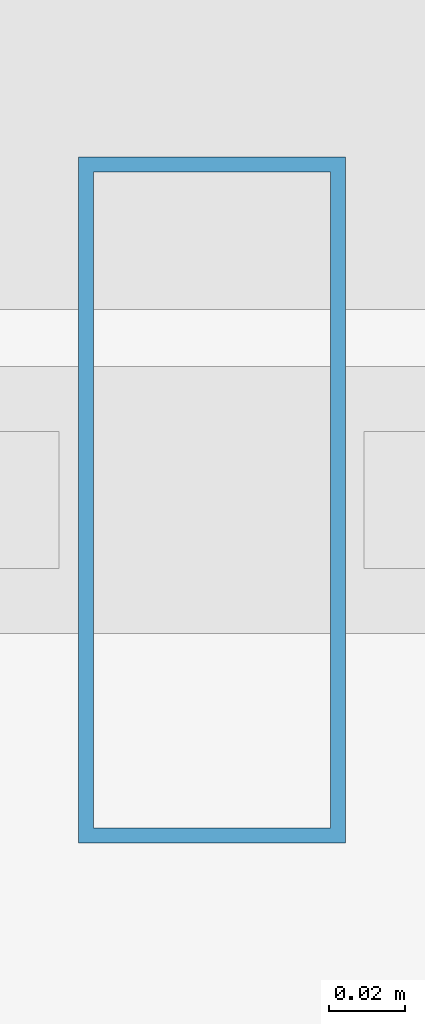
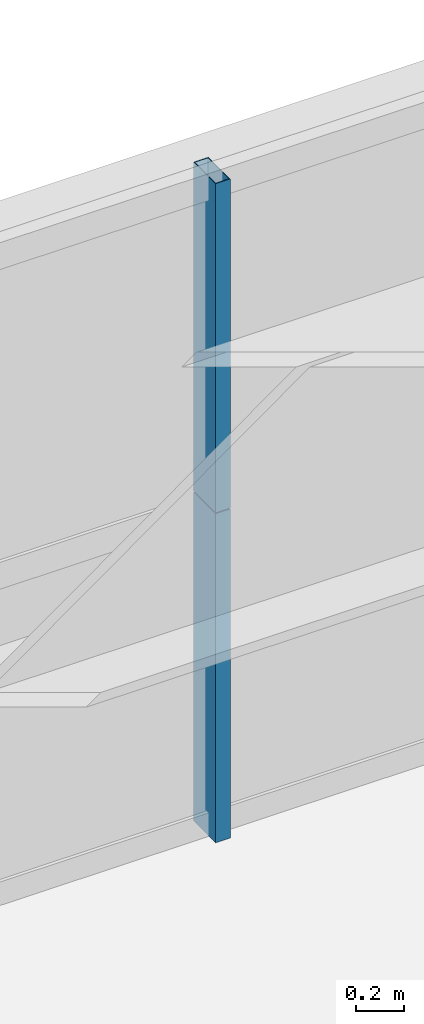
# One storey, part 36 of 44: 2 members, 1 element without a shape of its own.
"""IFC4 building model written with IfcOpenShell, lengths in metres."""

from ifc_helpers import new_model, si_unit, direction, frame, origin, origin_2d, place, context, subcontext, project, spatial, hollow_rectangle, extrude, source, transform, mapped, material, layer, layer_set, material_profile, profile_set, type_object, element, aggregate, save


model = new_model("IFC4")

# Units and contexts
model_context = context("Model", 3, precision=1e-05, world=origin(), true_north=direction((0.0, 1.0)))
body_context = subcontext(model_context, "Body", "Model", "MODEL_VIEW")
ifc_project = project(units=[si_unit("LENGTHUNIT", "METRE"), si_unit("AREAUNIT", "SQUARE_METRE"), si_unit("VOLUMEUNIT", "CUBIC_METRE"), si_unit("PLANEANGLEUNIT", "RADIAN"), si_unit("MASSUNIT", "GRAM", prefix="KILO"), si_unit("THERMODYNAMICTEMPERATUREUNIT", "KELVIN"), si_unit("POWERUNIT", "WATT")], contexts=[model_context])

# Site, building, storey
site_placement = place(None, origin())
site = spatial("IfcSite", under=ifc_project, at=site_placement, CompositionType="ELEMENT")
building_placement = place(site_placement, origin())
building = spatial("IfcBuilding", under=site, at=building_placement, Name="Yuzanri Waterfront Tower", CompositionType="ELEMENT")
storey_placement = place(building_placement, frame((0.0, 0.0, 82.0)))
storey = spatial("IfcBuildingStorey", under=building, at=storey_placement, Name="L21", CompositionType="ELEMENT", Elevation=82.0)

# Curtain wall, members
ifc_material_1 = material(Name="Anodized Architectural Bronze", Category="metal")
ifc_layer = layer(ifc_material_1, 0.159912109375)
ifc_layer_set = layer_set([ifc_layer], Name="Anodized Architectural Bronze")
curtain_wall_type = type_object("IfcCurtainWallType", Name="Anodized Bronze Hotel Lower-Tier Recessed Unitized Curtain Wall 8100", PredefinedType="NOTDEFINED", material=ifc_layer_set)
curtain_wall_placement = place(storey_placement, origin())
curtain_wall = element("IfcCurtainWall", 1, at=curtain_wall_placement, inside=storey, type_object=curtain_wall_type, Name="L21 Curtain Wall CW-L21-NR", PredefinedType="NOTDEFINED")
ifc_material_2 = material(Name="Anodized Architectural Bronze", Category="metal")
ifc_material_profile = material_profile(ifc_material_2, hollow_rectangle(XDim=0.070068359375, YDim=0.179931640625, WallThickness=0.00390625, at=origin_2d()), Name="CWM 70x180")
ifc_profile_set = profile_set([ifc_material_profile], Name="Anodized Architectural Bronze")
member_type = type_object("IfcMemberType", Name="Anodized Bronze Standard Curtain-Wall Mullion 70x180", PredefinedType="MULLION", material=ifc_profile_set)
shared_shape = source(origin(), body_context, "Body", "SweptSolid", [
    extrude(hollow_rectangle(XDim=0.070068359375, YDim=0.179931640625, WallThickness=0.00390625, at=origin_2d()), origin(), (0.0, 0.0, 1.0), 1.657958984375),
])
member_1_placement = place(storey_placement, frame((46.10009765625, 50.75, 0.0), z_axis=(0.0, 0.0, 1.0), x_axis=(1.0, 0.0, 0.0)))
member_1 = element("IfcMember", 2, at=member_1_placement, type_object=member_type, Name="CW-L21-NR Lower Mullion 01", PredefinedType="MULLION", context=body_context, shape_type="MappedRepresentation", body=[
    mapped(shared_shape, transform((0.0, 0.0, 0.0), scale=1.0)),
])
member_2_placement = place(storey_placement, frame((46.10009765625, 50.75, 1.662109375), z_axis=(0.0, 0.0, 1.0), x_axis=(1.0, 0.0, 0.0)))
member_2 = element("IfcMember", 3, at=member_2_placement, type_object=member_type, Name="CW-L21-NR Upper Mullion 01", PredefinedType="MULLION", context=body_context, shape_type="MappedRepresentation", body=[
    mapped(shared_shape, transform((0.0, 0.0, 0.0), scale=1.0)),
])
aggregate(curtain_wall, [member_1, member_2])

save(model, "model.ifc")
